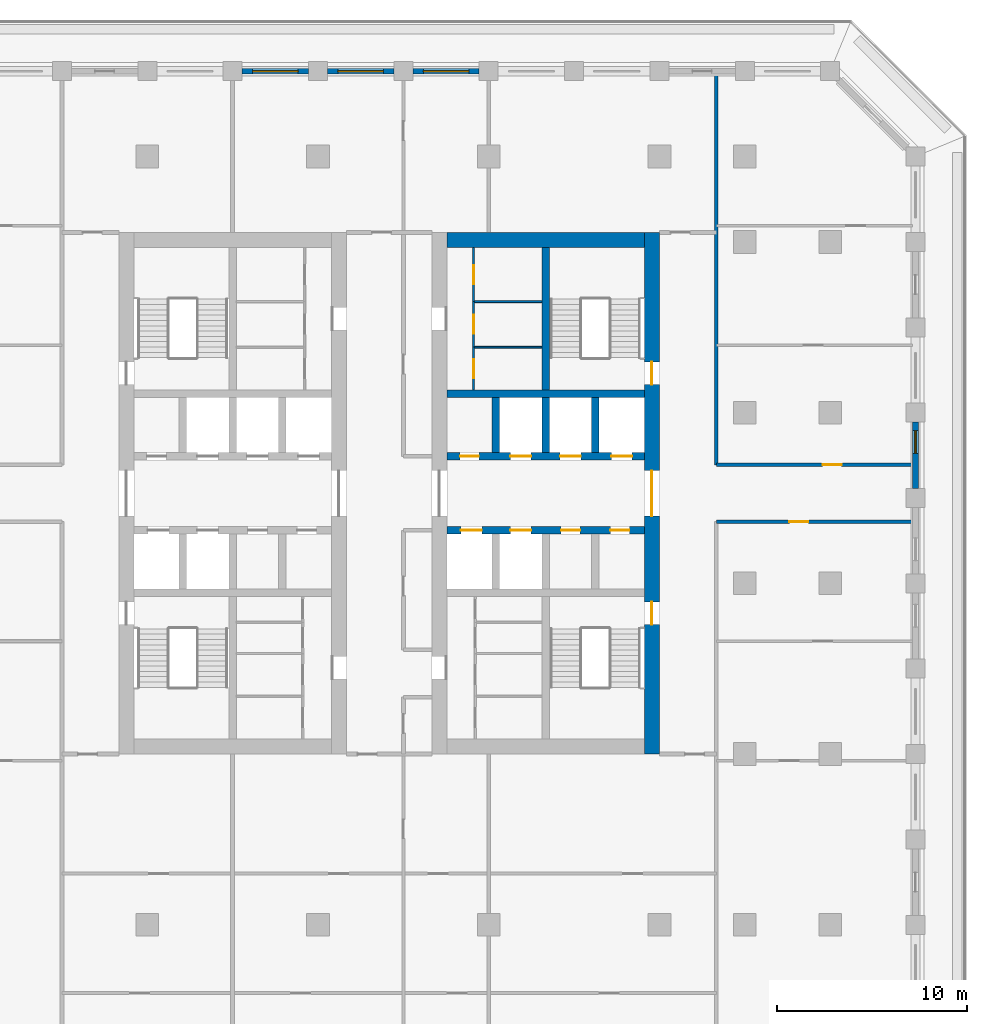
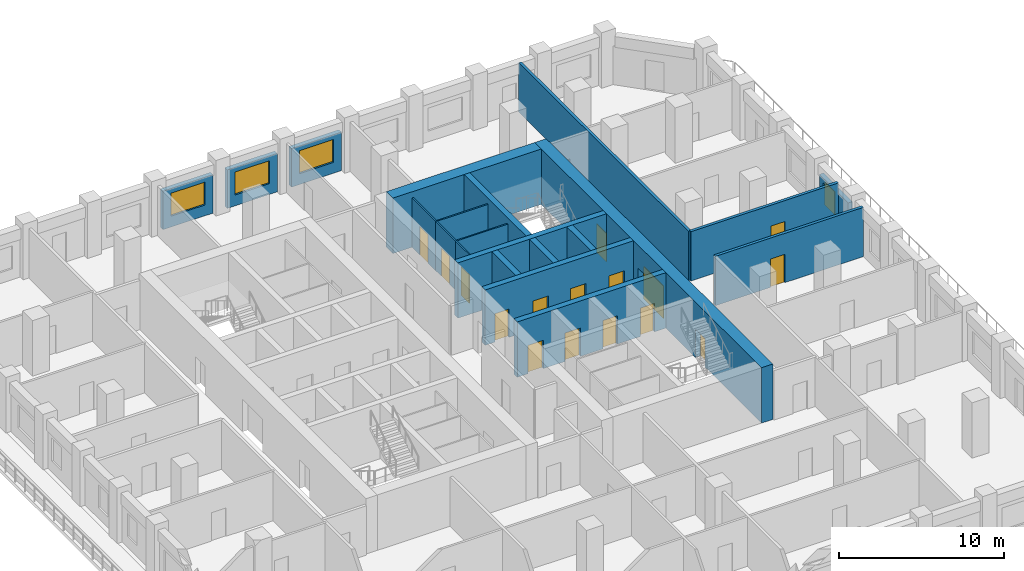
# One storey, part 7 of 16: 21 walls, 16 doors, 4 windows, 20 openings.
"""IFC4 building model written with IfcOpenShell, lengths in metres."""

from ifc_helpers import new_model, si_unit, direction, frame, frame_2d, origin, place, context, subcontext, project, spatial, rectangle, extrude, material, layer, layer_set, type_object, element, fill, save


model = new_model("IFC4")

# Units and contexts
model_context = context("Model", 3, precision=1e-05, world=origin(), true_north=direction((0.0, 1.0)))
body_context = subcontext(model_context, "Body", "Model", "MODEL_VIEW")
ifc_project = project(units=[si_unit("LENGTHUNIT", "METRE"), si_unit("AREAUNIT", "SQUARE_METRE"), si_unit("VOLUMEUNIT", "CUBIC_METRE"), si_unit("PLANEANGLEUNIT", "RADIAN"), si_unit("MASSUNIT", "GRAM", prefix="KILO")], contexts=[model_context])

# Site, building, storey
site_placement = place(None, origin())
site = spatial("IfcSite", under=ifc_project, at=site_placement, CompositionType="ELEMENT")
building_placement = place(site_placement, origin())
building = spatial("IfcBuilding", under=site, at=building_placement, Name="Corbel Stack Research Tower", CompositionType="ELEMENT")
storey_placement = place(building_placement, frame((0.0, 0.0, 212.0)))
storey = spatial("IfcBuildingStorey", under=building, at=storey_placement, Name="L48", CompositionType="ELEMENT", Elevation=212.0)

# Wall, openings, doors
ifc_material_1 = material(Name="Concrete C60/75", Category="concrete")
ifc_layer_1 = layer(ifc_material_1, 0.39990234375)
ifc_layer_set_1 = layer_set([ifc_layer_1], Name="Concrete C60/75")
wall_type_1 = type_object("IfcWallType", Name="CW-400-60", PredefinedType="SHEAR", material=ifc_layer_set_1)
wall_1_placement = place(storey_placement, frame((6.800048828125, 2.800048828125, 0.0), z_axis=(0.0, 0.0, 1.0), x_axis=(1.0, 0.0, 0.0)))
wall_1 = element("IfcWall", 1, at=wall_1_placement, inside=storey, type_object=wall_type_1, Name="East core wall, lobby south L48", PredefinedType="SHEAR", context=body_context, shape_type="SweptSolid", body=[
    extrude(rectangle(XDim=10.39990234375, YDim=0.39990234375, at=frame_2d((5.199951171875, 0.0))), origin(), (0.0, 0.0, 1.0), 4.10009765625),
])
opening_1_placement = place(wall_1_placement, frame((0.737548828125, 0.0, 0.0)))
opening_1 = element("IfcOpeningElement", 2, at=opening_1_placement, cuts=wall_1, Name="Opening LD-FS2", PredefinedType="OPENING", context=body_context, shape_type="SweptSolid", body=[
    extrude(rectangle(XDim=1.10009765625, YDim=2.10009765625, at=frame_2d((0.550048828125, 1.050048828125))), frame((0.0, 0.2099609375, 0.0), z_axis=(0.0, -1.0, 0.0), x_axis=(1.0, 0.0, 0.0)), (0.0, 0.0, 1.0), 0.419921875),
])
opening_2_placement = place(wall_1_placement, frame((3.33740234375, 0.0, 0.0)))
opening_2 = element("IfcOpeningElement", 3, at=opening_2_placement, cuts=wall_1, Name="Opening LD-GL2", PredefinedType="OPENING", context=body_context, shape_type="SweptSolid", body=[
    extrude(rectangle(XDim=1.10009765625, YDim=2.10009765625, at=frame_2d((0.550048828125, 1.050048828125))), frame((0.0, 0.2099609375, 0.0), z_axis=(0.0, -1.0, 0.0), x_axis=(1.0, 0.0, 0.0)), (0.0, 0.0, 1.0), 0.419921875),
])
opening_3_placement = place(wall_1_placement, frame((6.012451171875, 0.0, 0.0)))
opening_3 = element("IfcOpeningElement", 4, at=opening_3_placement, cuts=wall_1, Name="Opening CR-E42-S3", PredefinedType="OPENING", context=body_context, shape_type="SweptSolid", body=[
    extrude(rectangle(XDim=1.0, YDim=2.10009765625, at=frame_2d((0.5, 1.050048828125))), frame((0.0, 0.2099609375, 0.0), z_axis=(0.0, -1.0, 0.0), x_axis=(1.0, 0.0, 0.0)), (0.0, 0.0, 1.0), 0.419921875),
])
opening_4_placement = place(wall_1_placement, frame((8.612548828125, 0.0, 0.0)))
opening_4 = element("IfcOpeningElement", 5, at=opening_4_placement, cuts=wall_1, Name="Opening CR-E42-S4", PredefinedType="OPENING", context=body_context, shape_type="SweptSolid", body=[
    extrude(rectangle(XDim=1.0, YDim=2.10009765625, at=frame_2d((0.5, 1.050048828125))), frame((0.0, 0.2099609375, 0.0), z_axis=(0.0, -1.0, 0.0), x_axis=(1.0, 0.0, 0.0)), (0.0, 0.0, 1.0), 0.419921875),
])
ifc_material_2 = material(Name="Stainless steel landing door", Category="steel")
door_type_1 = type_object("IfcDoorType", Name="Lift landing door 1100 x 2100", OperationType="DOUBLE_DOOR_SLIDING", PredefinedType="DOOR", material=ifc_material_2)
door_1_placement = place(opening_1_placement, origin())
door_1 = element("IfcDoor", 6, at=door_1_placement, inside=storey, type_object=door_type_1, Name="Landing door FS2", OperationType="DOUBLE_DOOR_SLIDING", OverallHeight=2.10009765625, OverallWidth=1.10009765625, PredefinedType="DOOR", context=body_context, shape_type="SweptSolid", body=[
    extrude(rectangle(XDim=1.10009765625, YDim=2.10009765625, at=frame_2d((0.550048828125, 1.050048828125))), frame((0.0, 0.02490234375, 0.0), z_axis=(0.0, -1.0, 0.0), x_axis=(1.0, 0.0, 0.0)), (0.0, 0.0, 1.0), 0.050048828125),
])
fill(opening_1, door_1)
door_2_placement = place(opening_2_placement, origin())
door_2 = element("IfcDoor", 7, at=door_2_placement, inside=storey, type_object=door_type_1, Name="Landing door GL2", OperationType="DOUBLE_DOOR_SLIDING", OverallHeight=2.10009765625, OverallWidth=1.10009765625, PredefinedType="DOOR", context=body_context, shape_type="SweptSolid", body=[
    extrude(rectangle(XDim=1.10009765625, YDim=2.10009765625, at=frame_2d((0.550048828125, 1.050048828125))), frame((0.0, 0.02490234375, 0.0), z_axis=(0.0, -1.0, 0.0), x_axis=(1.0, 0.0, 0.0)), (0.0, 0.0, 1.0), 0.050048828125),
])
fill(opening_2, door_2)
ifc_material_3 = material(Name="Painted steel door", Category="steel")
door_type_2 = type_object("IfcDoorType", Name="Service door 1000 x 2100 FD60 left hand", OperationType="SINGLE_SWING_LEFT", PredefinedType="DOOR", material=ifc_material_3)
door_3_placement = place(opening_3_placement, origin())
door_3 = element("IfcDoor", 8, at=door_3_placement, inside=storey, type_object=door_type_2, Name="Telecom room door E core", OperationType="SINGLE_SWING_LEFT", OverallHeight=2.10009765625, OverallWidth=1.0, PredefinedType="DOOR", context=body_context, shape_type="SweptSolid", body=[
    extrude(rectangle(XDim=1.0, YDim=2.10009765625, at=frame_2d((0.5, 1.050048828125))), frame((0.0, 0.02490234375, 0.0), z_axis=(0.0, -1.0, 0.0), x_axis=(1.0, 0.0, 0.0)), (0.0, 0.0, 1.0), 0.050048828125),
])
fill(opening_3, door_3)
ifc_material_4 = material(Name="Painted steel door", Category="steel")
door_type_3 = type_object("IfcDoorType", Name="Service door 1000 x 2100 FD60 right hand", OperationType="SINGLE_SWING_RIGHT", PredefinedType="DOOR", material=ifc_material_4)
door_4_placement = place(opening_4_placement, origin())
door_4 = element("IfcDoor", 9, at=door_4_placement, inside=storey, type_object=door_type_3, Name="Copy and supply store door E core", OperationType="SINGLE_SWING_RIGHT", OverallHeight=2.10009765625, OverallWidth=1.0, PredefinedType="DOOR", context=body_context, shape_type="SweptSolid", body=[
    extrude(rectangle(XDim=1.0, YDim=2.10009765625, at=frame_2d((0.5, 1.050048828125))), frame((0.0, 0.02490234375, 0.0), z_axis=(0.0, -1.0, 0.0), x_axis=(1.0, 0.0, 0.0)), (0.0, 0.0, 1.0), 0.050048828125),
])
fill(opening_4, door_4)

wall_2_placement = place(storey_placement, frame((6.800048828125, 6.699951171875, 0.0), z_axis=(0.0, 0.0, 1.0), x_axis=(1.0, 0.0, 0.0)))
wall_2 = element("IfcWall", 10, at=wall_2_placement, inside=storey, type_object=wall_type_1, Name="East core wall, lobby north L48", PredefinedType="SHEAR", context=body_context, shape_type="SweptSolid", body=[
    extrude(rectangle(XDim=10.39990234375, YDim=0.39990234375, at=frame_2d((5.199951171875, 0.0))), origin(), (0.0, 0.0, 1.0), 4.10009765625),
])
opening_5_placement = place(wall_2_placement, frame((3.33740234375, 0.0, 0.0)))
opening_5 = element("IfcOpeningElement", 11, at=opening_5_placement, cuts=wall_2, Name="Opening LD-HR4", PredefinedType="OPENING", context=body_context, shape_type="SweptSolid", body=[
    extrude(rectangle(XDim=1.10009765625, YDim=2.10009765625, at=frame_2d((0.550048828125, 1.050048828125))), frame((0.0, 0.2099609375, 0.0), z_axis=(0.0, -1.0, 0.0), x_axis=(1.0, 0.0, 0.0)), (0.0, 0.0, 1.0), 0.419921875),
])
opening_6_placement = place(wall_2_placement, frame((5.96240234375, 0.0, 0.0)))
opening_6 = element("IfcOpeningElement", 12, at=opening_6_placement, cuts=wall_2, Name="Opening LD-HR5", PredefinedType="OPENING", context=body_context, shape_type="SweptSolid", body=[
    extrude(rectangle(XDim=1.10009765625, YDim=2.10009765625, at=frame_2d((0.550048828125, 1.050048828125))), frame((0.0, 0.2099609375, 0.0), z_axis=(0.0, -1.0, 0.0), x_axis=(1.0, 0.0, 0.0)), (0.0, 0.0, 1.0), 0.419921875),
])
opening_7_placement = place(wall_2_placement, frame((8.66259765625, 0.0, 0.0)))
opening_7 = element("IfcOpeningElement", 13, at=opening_7_placement, cuts=wall_2, Name="Opening LD-HR6", PredefinedType="OPENING", context=body_context, shape_type="SweptSolid", body=[
    extrude(rectangle(XDim=1.10009765625, YDim=2.10009765625, at=frame_2d((0.550048828125, 1.050048828125))), frame((0.0, 0.2099609375, 0.0), z_axis=(0.0, -1.0, 0.0), x_axis=(1.0, 0.0, 0.0)), (0.0, 0.0, 1.0), 0.419921875),
])
opening_8_placement = place(wall_2_placement, frame((0.6875, 0.0, 0.0)))
opening_8 = element("IfcOpeningElement", 14, at=opening_8_placement, cuts=wall_2, Name="Opening CR-E42-N1", PredefinedType="OPENING", context=body_context, shape_type="SweptSolid", body=[
    extrude(rectangle(XDim=1.0, YDim=2.10009765625, at=frame_2d((0.5, 1.050048828125))), frame((0.0, 0.2099609375, 0.0), z_axis=(0.0, -1.0, 0.0), x_axis=(1.0, 0.0, 0.0)), (0.0, 0.0, 1.0), 0.419921875),
])
door_5_placement = place(opening_5_placement, origin())
door_5 = element("IfcDoor", 15, at=door_5_placement, inside=storey, type_object=door_type_1, Name="Landing door HR4", OperationType="DOUBLE_DOOR_SLIDING", OverallHeight=2.10009765625, OverallWidth=1.10009765625, PredefinedType="DOOR", context=body_context, shape_type="SweptSolid", body=[
    extrude(rectangle(XDim=1.10009765625, YDim=2.10009765625, at=frame_2d((0.550048828125, 1.050048828125))), frame((0.0, 0.02490234375, 0.0), z_axis=(0.0, -1.0, 0.0), x_axis=(1.0, 0.0, 0.0)), (0.0, 0.0, 1.0), 0.050048828125),
])
fill(opening_5, door_5)
door_6_placement = place(opening_6_placement, origin())
door_6 = element("IfcDoor", 16, at=door_6_placement, inside=storey, type_object=door_type_1, Name="Landing door HR5", OperationType="DOUBLE_DOOR_SLIDING", OverallHeight=2.10009765625, OverallWidth=1.10009765625, PredefinedType="DOOR", context=body_context, shape_type="SweptSolid", body=[
    extrude(rectangle(XDim=1.10009765625, YDim=2.10009765625, at=frame_2d((0.550048828125, 1.050048828125))), frame((0.0, 0.02490234375, 0.0), z_axis=(0.0, -1.0, 0.0), x_axis=(1.0, 0.0, 0.0)), (0.0, 0.0, 1.0), 0.050048828125),
])
fill(opening_6, door_6)
door_7_placement = place(opening_7_placement, origin())
door_7 = element("IfcDoor", 17, at=door_7_placement, inside=storey, type_object=door_type_1, Name="Landing door HR6", OperationType="DOUBLE_DOOR_SLIDING", OverallHeight=2.10009765625, OverallWidth=1.10009765625, PredefinedType="DOOR", context=body_context, shape_type="SweptSolid", body=[
    extrude(rectangle(XDim=1.10009765625, YDim=2.10009765625, at=frame_2d((0.550048828125, 1.050048828125))), frame((0.0, 0.02490234375, 0.0), z_axis=(0.0, -1.0, 0.0), x_axis=(1.0, 0.0, 0.0)), (0.0, 0.0, 1.0), 0.050048828125),
])
fill(opening_7, door_7)
door_8_placement = place(opening_8_placement, origin())
door_8 = element("IfcDoor", 18, at=door_8_placement, inside=storey, type_object=door_type_2, Name="Records store door E core", OperationType="SINGLE_SWING_LEFT", OverallHeight=2.10009765625, OverallWidth=1.0, PredefinedType="DOOR", context=body_context, shape_type="SweptSolid", body=[
    extrude(rectangle(XDim=1.0, YDim=2.10009765625, at=frame_2d((0.5, 1.050048828125))), frame((0.0, 0.02490234375, 0.0), z_axis=(0.0, -1.0, 0.0), x_axis=(1.0, 0.0, 0.0)), (0.0, 0.0, 1.0), 0.050048828125),
])
fill(opening_8, door_8)

# Walls
wall_3_placement = place(storey_placement, frame((6.800048828125, 10.0, 0.0), z_axis=(0.0, 0.0, 1.0), x_axis=(1.0, 0.0, 0.0)))
element("IfcWall", 19, at=wall_3_placement, inside=storey, type_object=wall_type_1, Name="East core wall, north row back L48", PredefinedType="SHEAR", context=body_context, shape_type="SweptSolid", body=[
    extrude(rectangle(XDim=10.39990234375, YDim=0.39990234375, at=frame_2d((5.199951171875, 0.0))), origin(), (0.0, 0.0, 1.0), 4.10009765625),
])
for number, where, z_axis, x_axis, name in (
    (20, (9.375, 6.89990234375, 0.0), (0.0, 0.0, 1.0), (0.0, 1.0, 0.0), "East core wall, north shaft 1 L48"),
    (21, (12.0, 6.89990234375, 0.0), (0.0, 0.0, 1.0), (0.0, 1.0, 0.0), "East core wall, north shaft 2 L48"),
    (22, (14.625, 6.89990234375, 0.0), (0.0, 0.0, 1.0), (0.0, 1.0, 0.0), "East core wall, north shaft 3 L48"),
):
    element("IfcWall", number, at=place(storey_placement, frame(where, z_axis=z_axis, x_axis=x_axis)), inside=storey, type_object=wall_type_1, Name=name, PredefinedType="SHEAR", context=body_context, shape_type="SweptSolid", body=[
        extrude(rectangle(XDim=2.900146484375, YDim=0.39990234375, at=frame_2d((1.4501953125, 0.0))), origin(), (0.0, 0.0, 1.0), 4.10009765625),
    ])
wall_4_placement = place(storey_placement, frame((12.0, 10.199951171875, 0.0), z_axis=(0.0, 0.0, 1.0), x_axis=(0.0, 1.0, 0.0)))
element("IfcWall", 23, at=wall_4_placement, inside=storey, type_object=wall_type_1, Name="East core wall, north stair and riser L48", PredefinedType="SHEAR", context=body_context, shape_type="SweptSolid", body=[
    extrude(rectangle(XDim=7.5, YDim=0.39990234375, at=frame_2d((3.75, 0.0))), origin(), (0.0, 0.0, 1.0), 4.10009765625),
])

# Wall, openings, doors
ifc_material_5 = material(Name="Concrete C60/75", Category="concrete")
ifc_layer_2 = layer(ifc_material_5, 0.800048828125)
ifc_layer_set_2 = layer_set([ifc_layer_2], Name="Concrete C60/75")
wall_type_2 = type_object("IfcWallType", Name="CW-800-60", PredefinedType="SHEAR", material=ifc_layer_set_2)
wall_5_placement = place(storey_placement, frame((17.60009765625, -9.0, 0.0), z_axis=(0.0, 0.0, 1.0), x_axis=(0.0, 1.0, 0.0)))
wall_5 = element("IfcWall", 24, at=wall_5_placement, inside=storey, type_object=wall_type_2, Name="East core wall, east face L48", PredefinedType="SHEAR", context=body_context, shape_type="SweptSolid", body=[
    extrude(rectangle(XDim=27.5, YDim=0.800048828125, at=frame_2d((13.75, 0.0))), origin(), (0.0, 0.0, 1.0), 4.10009765625),
])
opening_9_placement = place(wall_5_placement, frame((12.550048828125, 0.0, 0.0)))
opening_9 = element("IfcOpeningElement", 25, at=opening_9_placement, cuts=wall_5, Name="Opening CD-E-E", PredefinedType="OPENING", context=body_context, shape_type="SweptSolid", body=[
    extrude(rectangle(XDim=2.39990234375, YDim=2.39990234375, at=frame_2d((1.199951171875, 1.199951171875))), frame((0.0, 0.409912109375, 0.0), z_axis=(0.0, -1.0, 0.0), x_axis=(1.0, 0.0, 0.0)), (0.0, 0.0, 1.0), 0.820068359375),
])
opening_10_placement = place(wall_5_placement, frame((6.824951171875, 0.0, 0.0)))
opening_10 = element("IfcOpeningElement", 26, at=opening_10_placement, cuts=wall_5, Name="Opening SD-ST-E1", PredefinedType="OPENING", context=body_context, shape_type="SweptSolid", body=[
    extrude(rectangle(XDim=1.199951171875, YDim=2.10009765625, at=frame_2d((0.60009765625, 1.050048828125))), frame((0.0, 0.409912109375, 0.0), z_axis=(0.0, -1.0, 0.0), x_axis=(1.0, 0.0, 0.0)), (0.0, 0.0, 1.0), 0.820068359375),
])
opening_11_placement = place(wall_5_placement, frame((19.47509765625, 0.0, 0.0)))
opening_11 = element("IfcOpeningElement", 27, at=opening_11_placement, cuts=wall_5, Name="Opening SD-ST-E2", PredefinedType="OPENING", context=body_context, shape_type="SweptSolid", body=[
    extrude(rectangle(XDim=1.199951171875, YDim=2.10009765625, at=frame_2d((0.60009765625, 1.050048828125))), frame((0.0, 0.409912109375, 0.0), z_axis=(0.0, -1.0, 0.0), x_axis=(1.0, 0.0, 0.0)), (0.0, 0.0, 1.0), 0.820068359375),
])
ifc_material_6 = material(Name="Painted steel fire door", Category="steel")
door_type_4 = type_object("IfcDoorType", Name="Lobby door pair 2400 x 2400 FD30S", OperationType="DOUBLE_DOOR_DOUBLE_SWING", PredefinedType="DOOR", material=ifc_material_6)
door_9_placement = place(opening_9_placement, origin())
door_9 = element("IfcDoor", 28, at=door_9_placement, inside=storey, type_object=door_type_4, Name="Lift lobby door E core E", OperationType="DOUBLE_DOOR_DOUBLE_SWING", OverallHeight=2.39990234375, OverallWidth=2.39990234375, PredefinedType="DOOR", context=body_context, shape_type="SweptSolid", body=[
    extrude(rectangle(XDim=2.39990234375, YDim=2.39990234375, at=frame_2d((1.199951171875, 1.199951171875))), frame((0.0, 0.02490234375, 0.0), z_axis=(0.0, -1.0, 0.0), x_axis=(1.0, 0.0, 0.0)), (0.0, 0.0, 1.0), 0.050048828125),
])
fill(opening_9, door_9)
ifc_material_7 = material(Name="Painted steel fire door", Category="steel")
door_type_5 = type_object("IfcDoorType", Name="Stair door 1200 x 2100 FD90 right hand", OperationType="SINGLE_SWING_RIGHT", PredefinedType="DOOR", material=ifc_material_7)
door_10_placement = place(opening_10_placement, frame((1.199951171875, 0.0, 0.0), z_axis=(0.0, 0.0, 1.0), x_axis=(-1.0, 0.0, 0.0)))
door_10 = element("IfcDoor", 29, at=door_10_placement, inside=storey, type_object=door_type_5, Name="Stair door ST-E1", OperationType="SINGLE_SWING_LEFT", OverallHeight=2.10009765625, OverallWidth=1.199951171875, PredefinedType="DOOR", context=body_context, shape_type="SweptSolid", body=[
    extrude(rectangle(XDim=1.199951171875, YDim=2.10009765625, at=frame_2d((0.60009765625, 1.050048828125))), frame((0.0, 0.02490234375, 0.0), z_axis=(0.0, -1.0, 0.0), x_axis=(1.0, 0.0, 0.0)), (0.0, 0.0, 1.0), 0.050048828125),
])
fill(opening_10, door_10)
door_11_placement = place(opening_11_placement, frame((1.199951171875, 0.0, 0.0), z_axis=(0.0, 0.0, 1.0), x_axis=(-1.0, 0.0, 0.0)))
door_11 = element("IfcDoor", 30, at=door_11_placement, inside=storey, type_object=door_type_5, Name="Stair door ST-E2", OperationType="SINGLE_SWING_LEFT", OverallHeight=2.10009765625, OverallWidth=1.199951171875, PredefinedType="DOOR", context=body_context, shape_type="SweptSolid", body=[
    extrude(rectangle(XDim=1.199951171875, YDim=2.10009765625, at=frame_2d((0.60009765625, 1.050048828125))), frame((0.0, 0.02490234375, 0.0), z_axis=(0.0, -1.0, 0.0), x_axis=(1.0, 0.0, 0.0)), (0.0, 0.0, 1.0), 0.050048828125),
])
fill(opening_11, door_11)

# Wall
wall_6_placement = place(storey_placement, frame((6.800048828125, 18.10009765625, 0.0), z_axis=(0.0, 0.0, 1.0), x_axis=(1.0, 0.0, 0.0)))
element("IfcWall", 31, at=wall_6_placement, inside=storey, type_object=wall_type_2, Name="East core wall, north end L48", PredefinedType="SHEAR", context=body_context, shape_type="SweptSolid", body=[
    extrude(rectangle(XDim=10.39990234375, YDim=0.800048828125, at=frame_2d((5.199951171875, 0.0))), origin(), (0.0, 0.0, 1.0), 4.10009765625),
])

# Wall, opening, door
ifc_material_8 = material(Name="Gypsum board")
ifc_layer_3 = layer(ifc_material_8, 0.10009765625)
ifc_layer_set_3 = layer_set([ifc_layer_3], Name="Gypsum board")
wall_type_3 = type_object("IfcWallType", Name="Core partition 100", PredefinedType="PARTITIONING", material=ifc_layer_set_3)
wall_7_placement = place(storey_placement, frame((8.199951171875, 10.199951171875, 0.0), z_axis=(0.0, 0.0, 1.0), x_axis=(0.0, 1.0, 0.0)))
wall_7 = element("IfcWall", 32, at=wall_7_placement, inside=storey, type_object=wall_type_3, Name="Core partition E", PredefinedType="PARTITIONING", context=body_context, shape_type="SweptSolid", body=[
    extrude(rectangle(XDim=2.25, YDim=0.10009765625, at=frame_2d((1.125, 0.0))), origin(), (0.0, 0.0, 1.0), 3.64990234375),
])
opening_12_placement = place(wall_7_placement, frame((0.625, 0.0, 0.0)))
opening_12 = element("IfcOpeningElement", 33, at=opening_12_placement, cuts=wall_7, Name="Opening CR-E42-R2-1000", PredefinedType="OPENING", context=body_context, shape_type="SweptSolid", body=[
    extrude(rectangle(XDim=1.0, YDim=2.10009765625, at=frame_2d((0.5, 1.050048828125))), frame((0.0, 0.06005859375, 0.0), z_axis=(0.0, -1.0, 0.0), x_axis=(1.0, 0.0, 0.0)), (0.0, 0.0, 1.0), 0.1201171875),
])
ifc_material_9 = material(Name="Painted steel door", Category="steel")
door_type_6 = type_object("IfcDoorType", Name="Riser door 1000 x 2100 FD60 left hand", OperationType="SINGLE_SWING_LEFT", PredefinedType="DOOR", material=ifc_material_9)
door_12_placement = place(opening_12_placement, origin())
door_12 = element("IfcDoor", 34, at=door_12_placement, inside=storey, type_object=door_type_6, Name="Mechanical riser door E core", OperationType="SINGLE_SWING_LEFT", OverallHeight=2.10009765625, OverallWidth=1.0, PredefinedType="DOOR", context=body_context, shape_type="SweptSolid", body=[
    extrude(rectangle(XDim=1.0, YDim=2.10009765625, at=frame_2d((0.5, 1.050048828125))), frame((0.0, 0.02490234375, 0.0), z_axis=(0.0, -1.0, 0.0), x_axis=(1.0, 0.0, 0.0)), (0.0, 0.0, 1.0), 0.050048828125),
])
fill(opening_12, door_12)

wall_8_placement = place(storey_placement, frame((8.199951171875, 12.449951171875, 0.0), z_axis=(0.0, 0.0, 1.0), x_axis=(0.0, 1.0, 0.0)))
wall_8 = element("IfcWall", 35, at=wall_8_placement, inside=storey, type_object=wall_type_3, Name="Core partition E", PredefinedType="PARTITIONING", context=body_context, shape_type="SweptSolid", body=[
    extrude(rectangle(XDim=2.400146484375, YDim=0.10009765625, at=frame_2d((1.2001953125, 0.0))), origin(), (0.0, 0.0, 1.0), 3.64990234375),
])
opening_13_placement = place(wall_8_placement, frame((0.699951171875, 0.0, 0.0)))
opening_13 = element("IfcOpeningElement", 36, at=opening_13_placement, cuts=wall_8, Name="Opening CR-E42-R3-1000", PredefinedType="OPENING", context=body_context, shape_type="SweptSolid", body=[
    extrude(rectangle(XDim=1.0, YDim=2.10009765625, at=frame_2d((0.5, 1.050048828125))), frame((0.0, 0.06005859375, 0.0), z_axis=(0.0, -1.0, 0.0), x_axis=(1.0, 0.0, 0.0)), (0.0, 0.0, 1.0), 0.1201171875),
])
ifc_material_10 = material(Name="Painted steel door", Category="steel")
door_type_7 = type_object("IfcDoorType", Name="Service door 1000 x 2100 FD30 right hand", OperationType="SINGLE_SWING_RIGHT", PredefinedType="DOOR", material=ifc_material_10)
door_13_placement = place(opening_13_placement, origin())
door_13 = element("IfcDoor", 37, at=door_13_placement, inside=storey, type_object=door_type_7, Name="Pantry door E core", OperationType="SINGLE_SWING_RIGHT", OverallHeight=2.10009765625, OverallWidth=1.0, PredefinedType="DOOR", context=body_context, shape_type="SweptSolid", body=[
    extrude(rectangle(XDim=1.0, YDim=2.10009765625, at=frame_2d((0.5, 1.050048828125))), frame((0.0, 0.02490234375, 0.0), z_axis=(0.0, -1.0, 0.0), x_axis=(1.0, 0.0, 0.0)), (0.0, 0.0, 1.0), 0.050048828125),
])
fill(opening_13, door_13)

wall_9_placement = place(storey_placement, frame((8.199951171875, 14.85009765625, 0.0), z_axis=(0.0, 0.0, 1.0), x_axis=(0.0, 1.0, 0.0)))
wall_9 = element("IfcWall", 38, at=wall_9_placement, inside=storey, type_object=wall_type_3, Name="Core partition E", PredefinedType="PARTITIONING", context=body_context, shape_type="SweptSolid", body=[
    extrude(rectangle(XDim=2.849853515625, YDim=0.10009765625, at=frame_2d((1.4248046875, 0.0))), origin(), (0.0, 0.0, 1.0), 3.64990234375),
])
opening_14_placement = place(wall_9_placement, frame((0.925048828125, 0.0, 0.0)))
opening_14 = element("IfcOpeningElement", 39, at=opening_14_placement, cuts=wall_9, Name="Opening CR-E42-R4-1000", PredefinedType="OPENING", context=body_context, shape_type="SweptSolid", body=[
    extrude(rectangle(XDim=1.0, YDim=2.10009765625, at=frame_2d((0.5, 1.050048828125))), frame((0.0, 0.06005859375, 0.0), z_axis=(0.0, -1.0, 0.0), x_axis=(1.0, 0.0, 0.0)), (0.0, 0.0, 1.0), 0.1201171875),
])
door_14_placement = place(opening_14_placement, origin())
door_14 = element("IfcDoor", 40, at=door_14_placement, inside=storey, type_object=door_type_6, Name="Electrical riser door E core", OperationType="SINGLE_SWING_LEFT", OverallHeight=2.10009765625, OverallWidth=1.0, PredefinedType="DOOR", context=body_context, shape_type="SweptSolid", body=[
    extrude(rectangle(XDim=1.0, YDim=2.10009765625, at=frame_2d((0.5, 1.050048828125))), frame((0.0, 0.02490234375, 0.0), z_axis=(0.0, -1.0, 0.0), x_axis=(1.0, 0.0, 0.0)), (0.0, 0.0, 1.0), 0.050048828125),
])
fill(opening_14, door_14)

# Walls
for number, where, z_axis, x_axis, name in (
    (41, (8.199951171875, 12.449951171875, 0.0), (0.0, 0.0, 1.0), (1.0, 0.0, 0.0), "Core partition E"),
    (42, (8.199951171875, 14.85009765625, 0.0), (0.0, 0.0, 1.0), (1.0, 0.0, 0.0), "Core partition E"),
):
    element("IfcWall", number, at=place(storey_placement, frame(where, z_axis=z_axis, x_axis=x_axis)), inside=storey, type_object=wall_type_3, Name=name, PredefinedType="PARTITIONING", context=body_context, shape_type="SweptSolid", body=[
        extrude(rectangle(XDim=3.60009765625, YDim=0.10009765625, at=frame_2d((1.800048828125, 0.0))), origin(), (0.0, 0.0, 1.0), 3.64990234375),
    ])
ifc_material_11 = material(Name="Fire-rated gypsum board partition on steel studs", Category="steel")
ifc_layer_4 = layer(ifc_material_11, 0.199951171875)
ifc_layer_set_4 = layer_set([ifc_layer_4], Name="Fire-rated gypsum board partition on steel studs")
wall_type_4 = type_object("IfcWallType", Name="Fire-rated partition 200 EI 60", PredefinedType="PARTITIONING", material=ifc_layer_set_4)
wall_10_placement = place(storey_placement, frame((21.0, 6.25, 0.0), z_axis=(0.0, 0.0, 1.0), x_axis=(0.0, 1.0, 0.0)))
element("IfcWall", 43, at=wall_10_placement, inside=storey, type_object=wall_type_4, Name="Partition L48-015", PredefinedType="PARTITIONING", context=body_context, shape_type="SweptSolid", body=[
    extrude(rectangle(XDim=20.60009765625, YDim=0.199951171875, at=frame_2d((10.300048828125, 0.0))), origin(), (0.0, 0.0, 1.0), 3.64990234375),
])

# Wall, opening, door
wall_11_placement = place(storey_placement, frame((31.35009765625, 3.25, 0.0), z_axis=(0.0, 0.0, 1.0), x_axis=(-1.0, 0.0, 0.0)))
wall_11 = element("IfcWall", 44, at=wall_11_placement, inside=storey, type_object=wall_type_4, Name="Partition L48-032", PredefinedType="PARTITIONING", context=body_context, shape_type="SweptSolid", body=[
    extrude(rectangle(XDim=10.35009765625, YDim=0.199951171875, at=frame_2d((5.175048828125, 0.0))), origin(), (0.0, 0.0, 1.0), 3.64990234375),
])
opening_15_placement = place(wall_11_placement, frame((5.5, 0.0, 0.0)))
opening_15 = element("IfcOpeningElement", 45, at=opening_15_placement, cuts=wall_11, Name="Opening B6V1-017", PredefinedType="OPENING", context=body_context, shape_type="SweptSolid", body=[
    extrude(rectangle(XDim=1.0, YDim=2.10009765625, at=frame_2d((0.5, 1.050048828125))), frame((0.0, 0.10986328125, 0.0), z_axis=(0.0, -1.0, 0.0), x_axis=(1.0, 0.0, 0.0)), (0.0, 0.0, 1.0), 0.219970703125),
])
ifc_material_12 = material(Name="Painted steel fire door", Category="steel")
door_type_8 = type_object("IfcDoorType", Name="Fire door FD30S 1000 x 2100", OperationType="NOTDEFINED", PredefinedType="DOOR", material=ifc_material_12)
door_15_placement = place(opening_15_placement, origin())
door_15 = element("IfcDoor", 46, at=door_15_placement, inside=storey, type_object=door_type_8, Name="Door B6V1-017", OperationType="SINGLE_SWING_RIGHT", OverallHeight=2.10009765625, OverallWidth=1.0, PredefinedType="DOOR", context=body_context, shape_type="SweptSolid", body=[
    extrude(rectangle(XDim=1.0, YDim=2.10009765625, at=frame_2d((0.5, 1.050048828125))), frame((0.0, 0.02490234375, 0.0), z_axis=(0.0, -1.0, 0.0), x_axis=(1.0, 0.0, 0.0)), (0.0, 0.0, 1.0), 0.050048828125),
])
fill(opening_15, door_15)

wall_12_placement = place(storey_placement, frame((21.0, 6.25, 0.0), z_axis=(0.0, 0.0, 1.0), x_axis=(1.0, 0.0, 0.0)))
wall_12 = element("IfcWall", 47, at=wall_12_placement, inside=storey, type_object=wall_type_4, Name="Partition L48-034", PredefinedType="PARTITIONING", context=body_context, shape_type="SweptSolid", body=[
    extrude(rectangle(XDim=10.35009765625, YDim=0.199951171875, at=frame_2d((5.175048828125, 0.0))), origin(), (0.0, 0.0, 1.0), 3.64990234375),
])
opening_16_placement = place(wall_12_placement, frame((5.60009765625, 0.0, 0.0)))
opening_16 = element("IfcOpeningElement", 48, at=opening_16_placement, cuts=wall_12, Name="Opening B6V1-024", PredefinedType="OPENING", context=body_context, shape_type="SweptSolid", body=[
    extrude(rectangle(XDim=1.0, YDim=2.10009765625, at=frame_2d((0.5, 1.050048828125))), frame((0.0, 0.10986328125, 0.0), z_axis=(0.0, -1.0, 0.0), x_axis=(1.0, 0.0, 0.0)), (0.0, 0.0, 1.0), 0.219970703125),
])
door_16_placement = place(opening_16_placement, origin())
door_16 = element("IfcDoor", 49, at=door_16_placement, inside=storey, type_object=door_type_8, Name="Door B6V1-024", OperationType="SINGLE_SWING_RIGHT", OverallHeight=2.10009765625, OverallWidth=1.0, PredefinedType="DOOR", context=body_context, shape_type="SweptSolid", body=[
    extrude(rectangle(XDim=1.0, YDim=2.10009765625, at=frame_2d((0.5, 1.050048828125))), frame((0.0, 0.02490234375, 0.0), z_axis=(0.0, -1.0, 0.0), x_axis=(1.0, 0.0, 0.0)), (0.0, 0.0, 1.0), 0.050048828125),
])
fill(opening_16, door_16)

# Wall, opening, window
ifc_material_13 = material(Name="Concrete C45/55", Category="concrete")
ifc_layer_5 = layer(ifc_material_13, 0.300048828125)
ifc_layer_set_5 = layer_set([ifc_layer_5], Name="Concrete C45/55")
wall_type_5 = type_object("IfcWallType", Name="Terracotta-faced concrete wall 300", PredefinedType="SOLIDWALL", material=ifc_layer_set_5)
wall_13_placement = place(storey_placement, frame((31.5, 8.5, 0.0), z_axis=(0.0, 0.0, 1.0), x_axis=(0.0, -1.0, 0.0)))
wall_13 = element("IfcWall", 50, at=wall_13_placement, inside=storey, type_object=wall_type_5, Name="Facade wall L48 E07", PredefinedType="SOLIDWALL", context=body_context, shape_type="SweptSolid", body=[
    extrude(rectangle(XDim=3.5, YDim=0.300048828125, at=frame_2d((1.75, 0.0))), origin(), (0.0, 0.0, 1.0), 2.85009765625),
])
opening_17_placement = place(wall_13_placement, frame((0.449951171875, 0.0, 0.800048828125)))
opening_17 = element("IfcOpeningElement", 51, at=opening_17_placement, cuts=wall_13, Name="Opening W2", PredefinedType="OPENING", context=body_context, shape_type="SweptSolid", body=[
    extrude(rectangle(XDim=1.199951171875, YDim=1.699951171875, at=frame_2d((0.60009765625, 0.85009765625))), frame((0.0, 0.159912109375, 0.0), z_axis=(0.0, -1.0, 0.0), x_axis=(1.0, 0.0, 0.0)), (0.0, 0.0, 1.0), 0.320068359375),
])
ifc_material_14 = material(Name="Aluminium frame, clear double glazing", Category="aluminium")
window_type_1 = type_object("IfcWindowType", Name="Window W2 1200 x 1700", PartitioningType="SINGLE_PANEL", PredefinedType="WINDOW", material=ifc_material_14)
window_1_placement = place(opening_17_placement, origin())
window_1 = element("IfcWindow", 52, at=window_1_placement, inside=storey, type_object=window_type_1, Name="Window W2 L48 E07", OverallHeight=1.699951171875, OverallWidth=1.199951171875, PartitioningType="SINGLE_PANEL", PredefinedType="WINDOW", context=body_context, shape_type="SweptSolid", body=[
    extrude(rectangle(XDim=1.199951171875, YDim=1.699951171875, at=frame_2d((0.60009765625, 0.85009765625))), frame((0.0, 0.030029296875, 0.0), z_axis=(0.0, -1.0, 0.0), x_axis=(1.0, 0.0, 0.0)), (0.0, 0.0, 1.0), 0.06005859375),
])
fill(opening_17, window_1)

wall_14_placement = place(storey_placement, frame((5.0, 27.0, 0.0), z_axis=(0.0, 0.0, 1.0), x_axis=(1.0, 0.0, 0.0)))
wall_14 = element("IfcWall", 53, at=wall_14_placement, inside=storey, type_object=wall_type_5, Name="Facade wall L48 N05", PredefinedType="SOLIDWALL", context=body_context, shape_type="SweptSolid", body=[
    extrude(rectangle(XDim=3.5, YDim=0.300048828125, at=frame_2d((1.75, 0.0))), origin(), (0.0, 0.0, 1.0), 2.85009765625),
])
opening_18_placement = place(wall_14_placement, frame((0.550048828125, 0.0, 0.800048828125)))
opening_18 = element("IfcOpeningElement", 54, at=opening_18_placement, cuts=wall_14, Name="Opening W1", PredefinedType="OPENING", context=body_context, shape_type="SweptSolid", body=[
    extrude(rectangle(XDim=2.39990234375, YDim=1.699951171875, at=frame_2d((1.199951171875, 0.85009765625))), frame((0.0, 0.159912109375, 0.0), z_axis=(0.0, -1.0, 0.0), x_axis=(1.0, 0.0, 0.0)), (0.0, 0.0, 1.0), 0.320068359375),
])
ifc_material_15 = material(Name="Aluminium frame, clear double glazing", Category="aluminium")
window_type_2 = type_object("IfcWindowType", Name="Window W1 2400 x 1700", PartitioningType="SINGLE_PANEL", PredefinedType="WINDOW", material=ifc_material_15)
window_2_placement = place(opening_18_placement, origin())
window_2 = element("IfcWindow", 55, at=window_2_placement, inside=storey, type_object=window_type_2, Name="Window W1 L48 N05", OverallHeight=1.699951171875, OverallWidth=2.39990234375, PartitioningType="SINGLE_PANEL", PredefinedType="WINDOW", context=body_context, shape_type="SweptSolid", body=[
    extrude(rectangle(XDim=2.39990234375, YDim=1.699951171875, at=frame_2d((1.199951171875, 0.85009765625))), frame((0.0, 0.030029296875, 0.0), z_axis=(0.0, -1.0, 0.0), x_axis=(1.0, 0.0, 0.0)), (0.0, 0.0, 1.0), 0.06005859375),
])
fill(opening_18, window_2)

wall_15_placement = place(storey_placement, frame((0.5, 27.0, 0.0), z_axis=(0.0, 0.0, 1.0), x_axis=(1.0, 0.0, 0.0)))
wall_15 = element("IfcWall", 56, at=wall_15_placement, inside=storey, type_object=wall_type_5, Name="Facade wall L48 N06", PredefinedType="SOLIDWALL", context=body_context, shape_type="SweptSolid", body=[
    extrude(rectangle(XDim=3.5, YDim=0.300048828125, at=frame_2d((1.75, 0.0))), origin(), (0.0, 0.0, 1.0), 2.85009765625),
])
opening_19_placement = place(wall_15_placement, frame((0.550048828125, 0.0, 0.800048828125)))
opening_19 = element("IfcOpeningElement", 57, at=opening_19_placement, cuts=wall_15, Name="Opening W1", PredefinedType="OPENING", context=body_context, shape_type="SweptSolid", body=[
    extrude(rectangle(XDim=2.39990234375, YDim=1.699951171875, at=frame_2d((1.199951171875, 0.85009765625))), frame((0.0, 0.159912109375, 0.0), z_axis=(0.0, -1.0, 0.0), x_axis=(1.0, 0.0, 0.0)), (0.0, 0.0, 1.0), 0.320068359375),
])
window_3_placement = place(opening_19_placement, origin())
window_3 = element("IfcWindow", 58, at=window_3_placement, inside=storey, type_object=window_type_2, Name="Window W1 L48 N06", OverallHeight=1.699951171875, OverallWidth=2.39990234375, PartitioningType="SINGLE_PANEL", PredefinedType="WINDOW", context=body_context, shape_type="SweptSolid", body=[
    extrude(rectangle(XDim=2.39990234375, YDim=1.699951171875, at=frame_2d((1.199951171875, 0.85009765625))), frame((0.0, 0.030029296875, 0.0), z_axis=(0.0, -1.0, 0.0), x_axis=(1.0, 0.0, 0.0)), (0.0, 0.0, 1.0), 0.06005859375),
])
fill(opening_19, window_3)

wall_16_placement = place(storey_placement, frame((-4.0, 27.0, 0.0), z_axis=(0.0, 0.0, 1.0), x_axis=(1.0, 0.0, 0.0)))
wall_16 = element("IfcWall", 59, at=wall_16_placement, inside=storey, type_object=wall_type_5, Name="Facade wall L48 N07", PredefinedType="SOLIDWALL", context=body_context, shape_type="SweptSolid", body=[
    extrude(rectangle(XDim=3.5, YDim=0.300048828125, at=frame_2d((1.75, 0.0))), origin(), (0.0, 0.0, 1.0), 2.85009765625),
])
opening_20_placement = place(wall_16_placement, frame((0.550048828125, 0.0, 0.800048828125)))
opening_20 = element("IfcOpeningElement", 60, at=opening_20_placement, cuts=wall_16, Name="Opening W1", PredefinedType="OPENING", context=body_context, shape_type="SweptSolid", body=[
    extrude(rectangle(XDim=2.39990234375, YDim=1.699951171875, at=frame_2d((1.199951171875, 0.85009765625))), frame((0.0, 0.159912109375, 0.0), z_axis=(0.0, -1.0, 0.0), x_axis=(1.0, 0.0, 0.0)), (0.0, 0.0, 1.0), 0.320068359375),
])
window_4_placement = place(opening_20_placement, origin())
window_4 = element("IfcWindow", 61, at=window_4_placement, inside=storey, type_object=window_type_2, Name="Window W1 L48 N07", OverallHeight=1.699951171875, OverallWidth=2.39990234375, PartitioningType="SINGLE_PANEL", PredefinedType="WINDOW", context=body_context, shape_type="SweptSolid", body=[
    extrude(rectangle(XDim=2.39990234375, YDim=1.699951171875, at=frame_2d((1.199951171875, 0.85009765625))), frame((0.0, 0.030029296875, 0.0), z_axis=(0.0, -1.0, 0.0), x_axis=(1.0, 0.0, 0.0)), (0.0, 0.0, 1.0), 0.06005859375),
])
fill(opening_20, window_4)

save(model, "model.ifc")
